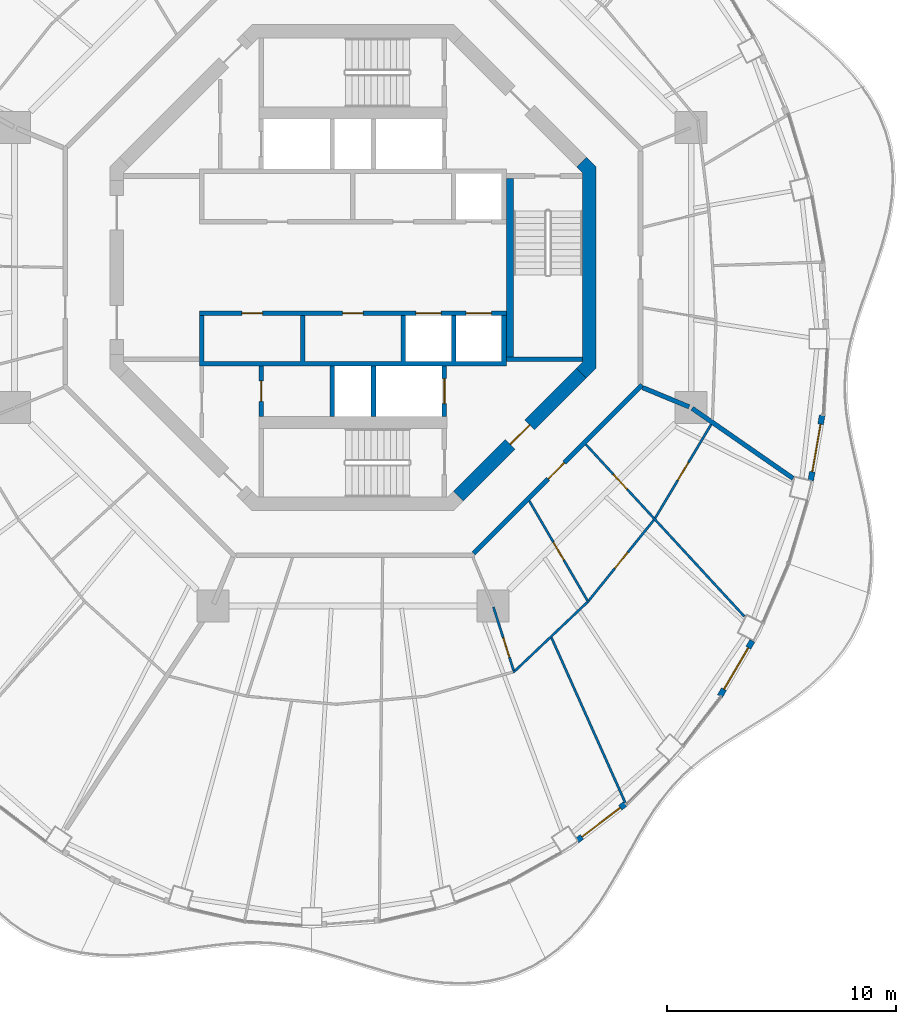
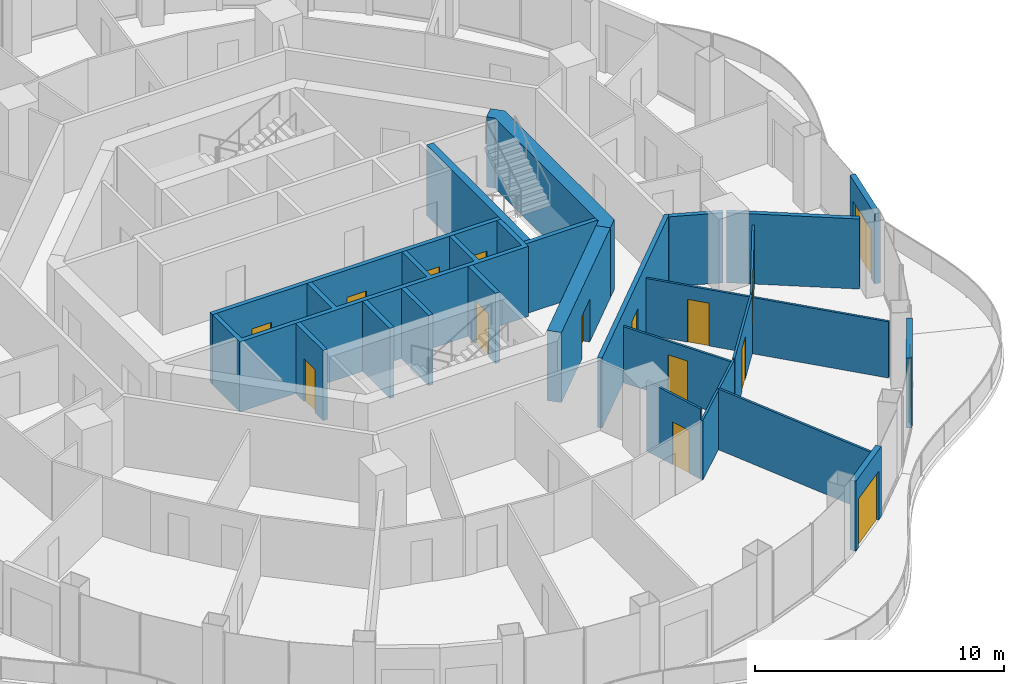
# One storey, part 11 of 17: 23 walls, 16 doors, 16 openings.
"""IFC4 building model written with IfcOpenShell, lengths in metres."""

from ifc_helpers import new_model, si_unit, direction, frame, frame_2d, origin, place, context, subcontext, project, spatial, polyline, rectangle, outline, extrude, material, layer, layer_set, type_object, element, fill, save


model = new_model("IFC4")

# Units and contexts
model_context = context("Model", 3, precision=1e-05, world=origin(), true_north=direction((0.0, 1.0)))
body_context = subcontext(model_context, "Body", "Model", "MODEL_VIEW")
ifc_project = project(units=[si_unit("LENGTHUNIT", "METRE"), si_unit("AREAUNIT", "SQUARE_METRE"), si_unit("VOLUMEUNIT", "CUBIC_METRE"), si_unit("PLANEANGLEUNIT", "RADIAN"), si_unit("MASSUNIT", "GRAM", prefix="KILO")], contexts=[model_context])

# Site, building, storey
site_placement = place(None, origin())
site = spatial("IfcSite", under=ifc_project, at=site_placement, CompositionType="ELEMENT")
building_placement = place(site_placement, origin())
building = spatial("IfcBuilding", under=site, at=building_placement, Name="Nagisa Residences", CompositionType="ELEMENT")
storey_placement = place(building_placement, frame((0.0, 0.0, 262.199951171875)))
storey = spatial("IfcBuildingStorey", under=building, at=storey_placement, Name="L66", CompositionType="ELEMENT", Elevation=262.199951171875)

# Walls
ifc_material_1 = material(Name="Gypsum board on steel studs", Category="steel")
ifc_layer_1 = layer(ifc_material_1, 0.199951171875)
ifc_layer_set_1 = layer_set([ifc_layer_1], Name="Apartment compartment wall EI60 200")
wall_type_1 = type_object("IfcWallType", Name="Apartment compartment wall EI60 200", PredefinedType="PARTITIONING", material=ifc_layer_set_1)
wall_1_placement = place(storey_placement, frame((12.6572265625, -5.24267578125, 0.0), z_axis=(0.0, 0.0, 1.0), x_axis=(0.92383017907, -0.382802560388, 0.0)))
element("IfcWall", 1, at=wall_1_placement, inside=storey, type_object=wall_type_1, Name="wall:L66:u06", PredefinedType="PARTITIONING", context=body_context, shape_type="SweptSolid", body=[
    extrude(rectangle(XDim=2.2001953125, YDim=0.199951171875, at=frame_2d((1.10009765625, 0.0))), origin(), (0.0, 0.0, 1.0), 3.43994140625),
])
wall_2_placement = place(storey_placement, frame((14.8232421875, -6.1513671875, 0.0), z_axis=(0.0, 0.0, 1.0), x_axis=(0.821435065081, -0.570302054928, 0.0)))
element("IfcWall", 2, at=wall_2_placement, inside=storey, type_object=wall_type_1, Name="wall:L66:u07", PredefinedType="PARTITIONING", context=body_context, shape_type="SweptSolid", body=[
    extrude(rectangle(XDim=5.3681640625, YDim=0.199951171875, at=frame_2d((2.68408203125, 0.0))), origin(), (0.0, 0.0, 1.0), 3.43994140625),
])

# Wall, opening, door
ifc_material_2 = material(Name="Gypsum board on steel studs", Category="steel")
ifc_layer_2 = layer(ifc_material_2, 0.199951171875)
ifc_layer_set_2 = layer_set([ifc_layer_2], Name="Apartment entry wall EI60 200")
wall_type_2 = type_object("IfcWallType", Name="Apartment entry wall EI60 200", PredefinedType="PARTITIONING", material=ifc_layer_set_2)
wall_3_placement = place(storey_placement, frame((5.275146484375, -12.494140625, 0.0), z_axis=(0.0, 0.0, 1.0), x_axis=(0.707106781187, 0.707106781187, 0.0)))
wall_3 = element("IfcWall", 3, at=wall_3_placement, inside=storey, type_object=wall_type_2, Name="wall:L66:u15", PredefinedType="PARTITIONING", context=body_context, shape_type="SweptSolid", body=[
    extrude(rectangle(XDim=10.4091796875, YDim=0.199951171875, at=frame_2d((5.20458984375, 0.0))), origin(), (0.0, 0.0, 1.0), 3.43994140625),
])
opening_1_placement = place(wall_3_placement, frame((4.6044921875, 0.0, 0.0)))
opening_1 = element("IfcOpeningElement", 4, at=opening_1_placement, cuts=wall_3, Name="Opening L66-U28", PredefinedType="OPENING", context=body_context, shape_type="SweptSolid", body=[
    extrude(rectangle(XDim=1.0, YDim=2.10009765625, at=frame_2d((0.5, 1.050048828125))), frame((0.0, 0.10986328125, 0.0), z_axis=(0.0, -1.0, 0.0), x_axis=(1.0, 0.0, 0.0)), (0.0, 0.0, 1.0), 0.219970703125),
])
ifc_material_3 = material(Name="Timber fire door set", Category="wood")
door_type_1 = type_object("IfcDoorType", Name="Apartment entry door FD30S 1000x2100", OperationType="NOTDEFINED", PredefinedType="DOOR", material=ifc_material_3)
door_1_placement = place(opening_1_placement, frame((1.0, 0.0, 0.0), x_axis=(-1.0, 0.0, 0.0)))
door_1 = element("IfcDoor", 5, at=door_1_placement, inside=storey, type_object=door_type_1, Name="Entry door, Apartment 66D", OperationType="SINGLE_SWING_LEFT", OverallHeight=2.10009765625, OverallWidth=1.0, PredefinedType="DOOR", context=body_context, shape_type="SweptSolid", body=[
    extrude(rectangle(XDim=1.0, YDim=2.10009765625, at=frame_2d((0.5, 1.050048828125))), frame((0.0, 0.02490234375, 0.0), z_axis=(0.0, -1.0, 0.0), x_axis=(1.0, 0.0, 0.0)), (0.0, 0.0, 1.0), 0.050048828125),
])
fill(opening_1, door_1)

ifc_material_4 = material(Name="Gypsum board on steel studs", Category="steel")
ifc_layer_3 = layer(ifc_material_4, 0.10009765625)
ifc_layer_set_3 = layer_set([ifc_layer_3], Name="Apartment partition 100")
wall_type_3 = type_object("IfcWallType", Name="Apartment partition 100", PredefinedType="PARTITIONING", material=ifc_layer_set_3)
wall_4_placement = place(storey_placement, frame((6.13818359375, -14.82958984375, 0.0), z_axis=(0.0, 0.0, 1.0), x_axis=(0.303665801704, -0.952778610631, 0.0)))
wall_4 = element("IfcWall", 6, at=wall_4_placement, inside=storey, type_object=wall_type_3, Name="wall:L66:u62", PredefinedType="PARTITIONING", context=body_context, shape_type="SweptSolid", body=[
    extrude(rectangle(XDim=2.921630859375, YDim=0.10009765625, at=frame_2d((1.4609375, 0.0))), origin(), (0.0, 0.0, 1.0), 3.43994140625),
])
opening_2_placement = place(wall_4_placement, frame((1.4072265625, 0.0, 0.0)))
opening_2 = element("IfcOpeningElement", 7, at=opening_2_placement, cuts=wall_4, Name="Opening L66-U33", PredefinedType="OPENING", context=body_context, shape_type="SweptSolid", body=[
    extrude(rectangle(XDim=0.89990234375, YDim=2.10009765625, at=frame_2d((0.449951171875, 1.050048828125))), frame((0.0, 0.06005859375, 0.0), z_axis=(0.0, -1.0, 0.0), x_axis=(1.0, 0.0, 0.0)), (0.0, 0.0, 1.0), 0.1201171875),
])
ifc_material_5 = material(Name="Timber door set", Category="wood")
door_type_2 = type_object("IfcDoorType", Name="Apartment door 900x2100", OperationType="NOTDEFINED", PredefinedType="DOOR", material=ifc_material_5)
door_2_placement = place(opening_2_placement, frame((0.89990234375, 0.0, 0.0), x_axis=(-1.0, 0.0, 0.0)))
door_2 = element("IfcDoor", 8, at=door_2_placement, inside=storey, type_object=door_type_2, Name="Door to laundry, Apartment 66D", OperationType="SINGLE_SWING_RIGHT", OverallHeight=2.10009765625, OverallWidth=0.89990234375, PredefinedType="DOOR", context=body_context, shape_type="SweptSolid", body=[
    extrude(rectangle(XDim=0.89990234375, YDim=2.10009765625, at=frame_2d((0.449951171875, 1.050048828125))), frame((0.0, 0.02490234375, 0.0), z_axis=(0.0, -1.0, 0.0), x_axis=(1.0, 0.0, 0.0)), (0.0, 0.0, 1.0), 0.050048828125),
])
fill(opening_2, door_2)

# Walls
wall_5_placement = place(storey_placement, frame((7.004150390625, -17.6953125, 0.0), z_axis=(0.0, 0.0, 1.0), x_axis=(0.725438442765, 0.68828705186, 0.0)))
element("IfcWall", 9, at=wall_5_placement, inside=storey, type_object=wall_type_3, Name="wall:L66:u63", PredefinedType="PARTITIONING", context=body_context, shape_type="SweptSolid", body=[
    extrude(rectangle(XDim=4.45556640625, YDim=0.10009765625, at=frame_2d((2.227783203125, 0.0))), origin(), (0.0, 0.0, 1.0), 2.905029296875),
])
wall_6_placement = place(storey_placement, frame((8.677001953125, -16.17333984375, 0.0), z_axis=(0.0, 0.0, 1.0), x_axis=(0.408174671437, -0.912903849043, 0.0)))
element("IfcWall", 10, at=wall_6_placement, inside=storey, type_object=wall_type_3, Name="wall:L66:u64", PredefinedType="PARTITIONING", context=body_context, shape_type="SweptSolid", body=[
    extrude(rectangle(XDim=8.028076171875, YDim=0.10009765625, at=frame_2d((4.01416015625, 0.0))), origin(), (0.0, 0.0, 1.0), 2.983154296875),
])

# Wall, opening, door
wall_7_placement = place(storey_placement, frame((7.708251953125, -10.19775390625, 0.0), z_axis=(0.0, 0.0, 1.0), x_axis=(0.503838537732, -0.863797851292, 0.0)))
wall_7 = element("IfcWall", 11, at=wall_7_placement, inside=storey, type_object=wall_type_3, Name="wall:L66:u65", PredefinedType="PARTITIONING", context=body_context, shape_type="SweptSolid", body=[
    extrude(rectangle(XDim=5.1396484375, YDim=0.10009765625, at=frame_2d((2.56982421875, 0.0))), origin(), (0.0, 0.0, 1.0), 2.761962890625),
])
opening_3_placement = place(wall_7_placement, frame((2.094970703125, 0.0, 0.0)))
opening_3 = element("IfcOpeningElement", 12, at=opening_3_placement, cuts=wall_7, Name="Opening L66-U29", PredefinedType="OPENING", context=body_context, shape_type="SweptSolid", body=[
    extrude(rectangle(XDim=0.89990234375, YDim=2.10009765625, at=frame_2d((0.449951171875, 1.050048828125))), frame((0.0, 0.06005859375, 0.0), z_axis=(0.0, -1.0, 0.0), x_axis=(1.0, 0.0, 0.0)), (0.0, 0.0, 1.0), 0.1201171875),
])
door_3_placement = place(opening_3_placement, frame((0.89990234375, 0.0, 0.0), x_axis=(-1.0, 0.0, 0.0)))
door_3 = element("IfcDoor", 13, at=door_3_placement, inside=storey, type_object=door_type_2, Name="Door to family bathroom, Apartment 66D", OperationType="SINGLE_SWING_RIGHT", OverallHeight=2.10009765625, OverallWidth=0.89990234375, PredefinedType="DOOR", context=body_context, shape_type="SweptSolid", body=[
    extrude(rectangle(XDim=0.89990234375, YDim=2.10009765625, at=frame_2d((0.449951171875, 1.050048828125))), frame((0.0, 0.02490234375, 0.0), z_axis=(0.0, -1.0, 0.0), x_axis=(1.0, 0.0, 0.0)), (0.0, 0.0, 1.0), 0.050048828125),
])
fill(opening_3, door_3)

wall_8_placement = place(storey_placement, frame((10.303955078125, -14.555419921875, 0.0), z_axis=(0.0, 0.0, 1.0), x_axis=(0.628170338674, 0.778075848237, 0.0)))
wall_8 = element("IfcWall", 14, at=wall_8_placement, inside=storey, type_object=wall_type_3, Name="wall:L66:u66", PredefinedType="PARTITIONING", context=body_context, shape_type="SweptSolid", body=[
    extrude(rectangle(XDim=4.532470703125, YDim=0.10009765625, at=frame_2d((2.26611328125, 0.0))), origin(), (0.0, 0.0, 1.0), 2.905029296875),
])
opening_4_placement = place(wall_8_placement, frame((1.816162109375, 0.0, 0.0)))
opening_4 = element("IfcOpeningElement", 15, at=opening_4_placement, cuts=wall_8, Name="Opening L66-U31", PredefinedType="OPENING", context=body_context, shape_type="SweptSolid", body=[
    extrude(rectangle(XDim=0.89990234375, YDim=2.10009765625, at=frame_2d((0.449951171875, 1.050048828125))), frame((0.0, 0.06005859375, 0.0), z_axis=(0.0, -1.0, 0.0), x_axis=(1.0, 0.0, 0.0)), (0.0, 0.0, 1.0), 0.1201171875),
])
door_4_placement = place(opening_4_placement, frame((0.89990234375, 0.0, 0.0), x_axis=(-1.0, 0.0, 0.0)))
door_4 = element("IfcDoor", 16, at=door_4_placement, inside=storey, type_object=door_type_2, Name="Door to master bedroom, Apartment 66D", OperationType="SINGLE_SWING_RIGHT", OverallHeight=2.10009765625, OverallWidth=0.89990234375, PredefinedType="DOOR", context=body_context, shape_type="SweptSolid", body=[
    extrude(rectangle(XDim=0.89990234375, YDim=2.10009765625, at=frame_2d((0.449951171875, 1.050048828125))), frame((0.0, 0.02490234375, 0.0), z_axis=(0.0, -1.0, 0.0), x_axis=(1.0, 0.0, 0.0)), (0.0, 0.0, 1.0), 0.050048828125),
])
fill(opening_4, door_4)

wall_9_placement = place(storey_placement, frame((10.17919921875, -7.7314453125, 0.0), z_axis=(0.0, 0.0, 1.0), x_axis=(0.67775318564, -0.73528947997, 0.0)))
wall_9 = element("IfcWall", 17, at=wall_9_placement, inside=storey, type_object=wall_type_3, Name="wall:L66:u67", PredefinedType="PARTITIONING", context=body_context, shape_type="SweptSolid", body=[
    extrude(rectangle(XDim=10.221923828125, YDim=0.10009765625, at=frame_2d((5.11083984375, 0.0))), origin(), (0.0, 0.0, 1.0), 2.761962890625),
])
opening_5_placement = place(wall_9_placement, frame((1.765625, 0.0, 0.0)))
opening_5 = element("IfcOpeningElement", 18, at=opening_5_placement, cuts=wall_9, Name="Opening L66-U30", PredefinedType="OPENING", context=body_context, shape_type="SweptSolid", body=[
    extrude(rectangle(XDim=0.89990234375, YDim=2.10009765625, at=frame_2d((0.449951171875, 1.050048828125))), frame((0.0, 0.06005859375, 0.0), z_axis=(0.0, -1.0, 0.0), x_axis=(1.0, 0.0, 0.0)), (0.0, 0.0, 1.0), 0.1201171875),
])
door_5_placement = place(opening_5_placement, origin())
door_5 = element("IfcDoor", 19, at=door_5_placement, inside=storey, type_object=door_type_2, Name="Door to laundry, Apartment 66D", OperationType="SINGLE_SWING_RIGHT", OverallHeight=2.10009765625, OverallWidth=0.89990234375, PredefinedType="DOOR", context=body_context, shape_type="SweptSolid", body=[
    extrude(rectangle(XDim=0.89990234375, YDim=2.10009765625, at=frame_2d((0.449951171875, 1.050048828125))), frame((0.0, 0.02490234375, 0.0), z_axis=(0.0, -1.0, 0.0), x_axis=(1.0, 0.0, 0.0)), (0.0, 0.0, 1.0), 0.050048828125),
])
fill(opening_5, door_5)

wall_10_placement = place(storey_placement, frame((13.208251953125, -10.947021484375, 0.0), z_axis=(0.0, 0.0, 1.0), x_axis=(0.512726452516, 0.858552028063, 0.0)))
wall_10 = element("IfcWall", 20, at=wall_10_placement, inside=storey, type_object=wall_type_3, Name="wall:L66:u68", PredefinedType="PARTITIONING", context=body_context, shape_type="SweptSolid", body=[
    extrude(rectangle(XDim=4.771728515625, YDim=0.10009765625, at=frame_2d((2.3857421875, 0.0))), origin(), (0.0, 0.0, 1.0), 2.905029296875),
])
opening_6_placement = place(wall_10_placement, frame((1.935791015625, 0.0, 0.0)))
opening_6 = element("IfcOpeningElement", 21, at=opening_6_placement, cuts=wall_10, Name="Opening L66-U32", PredefinedType="OPENING", context=body_context, shape_type="SweptSolid", body=[
    extrude(rectangle(XDim=0.89990234375, YDim=2.10009765625, at=frame_2d((0.449951171875, 1.050048828125))), frame((0.0, 0.06005859375, 0.0), z_axis=(0.0, -1.0, 0.0), x_axis=(1.0, 0.0, 0.0)), (0.0, 0.0, 1.0), 0.1201171875),
])
door_6_placement = place(opening_6_placement, frame((0.89990234375, 0.0, 0.0), x_axis=(-1.0, 0.0, 0.0)))
door_6 = element("IfcDoor", 22, at=door_6_placement, inside=storey, type_object=door_type_2, Name="Door to kitchen, Apartment 66D", OperationType="SINGLE_SWING_LEFT", OverallHeight=2.10009765625, OverallWidth=0.89990234375, PredefinedType="DOOR", context=body_context, shape_type="SweptSolid", body=[
    extrude(rectangle(XDim=0.89990234375, YDim=2.10009765625, at=frame_2d((0.449951171875, 1.050048828125))), frame((0.0, 0.02490234375, 0.0), z_axis=(0.0, -1.0, 0.0), x_axis=(1.0, 0.0, 0.0)), (0.0, 0.0, 1.0), 0.050048828125),
])
fill(opening_6, door_6)

ifc_material_6 = material(Name="Precast concrete C40/50", Category="concrete")
ifc_layer_4 = layer(ifc_material_6, 0.25)
ifc_layer_set_4 = layer_set([ifc_layer_4], Name="BALCONY DOOR WALL 250")
wall_type_4 = type_object("IfcWallType", Name="BALCONY DOOR WALL 250", PredefinedType="SOLIDWALL", material=ifc_layer_set_4)
wall_11_placement = place(storey_placement, frame((11.89453125, -23.439208984375, 0.0), z_axis=(0.0, 0.0, 1.0), x_axis=(-0.796055284084, -0.605223912847, 0.0)))
wall_11 = element("IfcWall", 23, at=wall_11_placement, inside=storey, type_object=wall_type_4, Name="wall:L66:bay40", PredefinedType="SOLIDWALL", context=body_context, shape_type="SweptSolid", body=[
    extrude(rectangle(XDim=2.640625, YDim=0.25, at=frame_2d((1.3203125, 0.0))), origin(), (0.0, 0.0, 1.0), 3.43994140625),
])
opening_7_placement = place(wall_11_placement, frame((0.270263671875, 0.0, 0.0)))
opening_7 = element("IfcOpeningElement", 24, at=opening_7_placement, cuts=wall_11, Name="Opening BD-L66-14", PredefinedType="OPENING", context=body_context, shape_type="SweptSolid", body=[
    extrude(rectangle(XDim=2.10009765625, YDim=2.39990234375, at=frame_2d((1.050048828125, 1.199951171875))), frame((0.0, 0.135009765625, 0.0), z_axis=(0.0, -1.0, 0.0), x_axis=(1.0, 0.0, 0.0)), (0.0, 0.0, 1.0), 0.27001953125),
])
ifc_material_7 = material(Name="Aluminium and clear glass", Category="aluminium")
door_type_3 = type_object("IfcDoorType", Name="BALCONY SLIDING DOOR 2100x2400", OperationType="SLIDING_TO_LEFT", PredefinedType="DOOR", material=ifc_material_7)
door_7_placement = place(opening_7_placement, origin())
door_7 = element("IfcDoor", 25, at=door_7_placement, inside=storey, type_object=door_type_3, Name="door:L66:bay40", OperationType="SLIDING_TO_LEFT", OverallHeight=2.39990234375, OverallWidth=2.10009765625, PredefinedType="DOOR", context=body_context, shape_type="SweptSolid", body=[
    extrude(rectangle(XDim=2.10009765625, YDim=2.39990234375, at=frame_2d((1.050048828125, 1.199951171875))), frame((0.0, 0.02490234375, 0.0), z_axis=(0.0, -1.0, 0.0), x_axis=(1.0, 0.0, 0.0)), (0.0, 0.0, 1.0), 0.050048828125),
])
fill(opening_7, door_7)

wall_12_placement = place(storey_placement, frame((17.453857421875, -16.3125, 0.0), z_axis=(0.0, 0.0, 1.0), x_axis=(-0.506371364425, -0.862315511452, 0.0)))
wall_12 = element("IfcWall", 26, at=wall_12_placement, inside=storey, type_object=wall_type_4, Name="wall:L66:bay43", PredefinedType="SOLIDWALL", context=body_context, shape_type="SweptSolid", body=[
    extrude(rectangle(XDim=2.79638671875, YDim=0.25, at=frame_2d((1.398193359375, 0.0))), origin(), (0.0, 0.0, 1.0), 3.43994140625),
])
opening_8_placement = place(wall_12_placement, frame((0.34814453125, 0.0, 0.0)))
opening_8 = element("IfcOpeningElement", 27, at=opening_8_placement, cuts=wall_12, Name="Opening BD-L66-15", PredefinedType="OPENING", context=body_context, shape_type="SweptSolid", body=[
    extrude(rectangle(XDim=2.10009765625, YDim=2.39990234375, at=frame_2d((1.050048828125, 1.199951171875))), frame((0.0, 0.135009765625, 0.0), z_axis=(0.0, -1.0, 0.0), x_axis=(1.0, 0.0, 0.0)), (0.0, 0.0, 1.0), 0.27001953125),
])
door_8_placement = place(opening_8_placement, origin())
door_8 = element("IfcDoor", 28, at=door_8_placement, inside=storey, type_object=door_type_3, Name="door:L66:bay43", OperationType="SLIDING_TO_LEFT", OverallHeight=2.39990234375, OverallWidth=2.10009765625, PredefinedType="DOOR", context=body_context, shape_type="SweptSolid", body=[
    extrude(rectangle(XDim=2.10009765625, YDim=2.39990234375, at=frame_2d((1.050048828125, 1.199951171875))), frame((0.0, 0.02490234375, 0.0), z_axis=(0.0, -1.0, 0.0), x_axis=(1.0, 0.0, 0.0)), (0.0, 0.0, 1.0), 0.050048828125),
])
fill(opening_8, door_8)

wall_13_placement = place(storey_placement, frame((20.50341796875, -6.455810546875, 0.0), z_axis=(0.0, 0.0, 1.0), x_axis=(-0.172182411767, -0.985065082661, 0.0)))
wall_13 = element("IfcWall", 29, at=wall_13_placement, inside=storey, type_object=wall_type_4, Name="wall:L66:bay46", PredefinedType="SOLIDWALL", context=body_context, shape_type="SweptSolid", body=[
    extrude(rectangle(XDim=2.902587890625, YDim=0.25, at=frame_2d((1.451171875, 0.0))), origin(), (0.0, 0.0, 1.0), 3.43994140625),
])
opening_9_placement = place(wall_13_placement, frame((0.401123046875, 0.0, 0.0)))
opening_9 = element("IfcOpeningElement", 30, at=opening_9_placement, cuts=wall_13, Name="Opening BD-L66-16", PredefinedType="OPENING", context=body_context, shape_type="SweptSolid", body=[
    extrude(rectangle(XDim=2.10009765625, YDim=2.39990234375, at=frame_2d((1.050048828125, 1.199951171875))), frame((0.0, 0.135009765625, 0.0), z_axis=(0.0, -1.0, 0.0), x_axis=(1.0, 0.0, 0.0)), (0.0, 0.0, 1.0), 0.27001953125),
])
door_9_placement = place(opening_9_placement, origin())
door_9 = element("IfcDoor", 31, at=door_9_placement, inside=storey, type_object=door_type_3, Name="door:L66:bay46", OperationType="SLIDING_TO_LEFT", OverallHeight=2.39990234375, OverallWidth=2.10009765625, PredefinedType="DOOR", context=body_context, shape_type="SweptSolid", body=[
    extrude(rectangle(XDim=2.10009765625, YDim=2.39990234375, at=frame_2d((1.050048828125, 1.199951171875))), frame((0.0, 0.02490234375, 0.0), z_axis=(0.0, -1.0, 0.0), x_axis=(1.0, 0.0, 0.0)), (0.0, 0.0, 1.0), 0.050048828125),
])
fill(opening_9, door_9)

ifc_material_8 = material(Name="Concrete C60", Category="concrete")
ifc_layer_5 = layer(ifc_material_8, 0.60009765625)
ifc_layer_set_5 = layer_set([ifc_layer_5], Name="Core shear wall 600")
wall_type_5 = type_object("IfcWallType", Name="Core shear wall 600", PredefinedType="SHEAR", material=ifc_layer_set_5)
wall_14_placement = place(storey_placement, frame((4.613037109375, -9.98828125, 0.0), z_axis=(0.0, 0.0, 1.0), x_axis=(0.707106781187, 0.707106781187, 0.0)))
wall_14 = element("IfcWall", 32, at=wall_14_placement, inside=storey, type_object=wall_type_5, Name="wall:L66:core:flat7", PredefinedType="SHEAR", context=body_context, shape_type="SweptSolid", body=[
    extrude(rectangle(XDim=7.601806640625, YDim=0.60009765625, at=frame_2d((3.80078125, 0.0))), origin(), (0.0, 0.0, 1.0), 3.43994140625),
])
opening_10_placement = place(wall_14_placement, frame((3.200927734375, 0.0, 0.0)))
opening_10 = element("IfcOpeningElement", 33, at=opening_10_placement, cuts=wall_14, Name="Opening L66-C18", PredefinedType="OPENING", context=body_context, shape_type="SweptSolid", body=[
    extrude(rectangle(XDim=1.199951171875, YDim=2.10009765625, at=frame_2d((0.60009765625, 1.050048828125))), frame((0.0, 0.31005859375, 0.0), z_axis=(0.0, -1.0, 0.0), x_axis=(1.0, 0.0, 0.0)), (0.0, 0.0, 1.0), 0.6201171875),
])
ifc_material_9 = material(Name="Steel fire door", Category="steel")
door_type_4 = type_object("IfcDoorType", Name="Fire door EI60 1200x2100 single swing", OperationType="NOTDEFINED", PredefinedType="DOOR", material=ifc_material_9)
door_10_placement = place(opening_10_placement, origin())
door_10 = element("IfcDoor", 34, at=door_10_placement, inside=storey, type_object=door_type_4, Name="Firefighting lobby 2 door L66", OperationType="SINGLE_SWING_RIGHT", OverallHeight=2.10009765625, OverallWidth=1.199951171875, PredefinedType="DOOR", context=body_context, shape_type="SweptSolid", body=[
    extrude(rectangle(XDim=1.199951171875, YDim=2.10009765625, at=frame_2d((0.60009765625, 1.050048828125))), frame((0.0, 0.02490234375, 0.0), z_axis=(0.0, -1.0, 0.0), x_axis=(1.0, 0.0, 0.0)), (0.0, 0.0, 1.0), 0.050048828125),
])
fill(opening_10, door_10)

# Wall
wall_15_placement = place(storey_placement, origin())
element("IfcWall", 35, at=wall_15_placement, inside=storey, type_object=wall_type_5, Name="wall:L66:core:flat0", PredefinedType="SHEAR", context=body_context, shape_type="SweptSolid", body=[
    extrude(outline(polyline([(9.776123046875, -4.40087890625), (10.024658203125, -4.15234375), (10.024658203125, -3.801025390625), (10.024658203125, 4.15234375), (9.776123046875, 4.40087890625), (10.200439453125, 4.8251953125), (10.62451171875, 4.40087890625), (10.62451171875, -4.40087890625), (10.200439453125, -4.8251953125), (9.776123046875, -4.40087890625)])), origin(), (0.0, 0.0, 1.0), 3.43994140625),
])

# Wall, opening, door
ifc_material_10 = material(Name="Concrete C60", Category="concrete")
ifc_layer_6 = layer(ifc_material_10, 0.199951171875)
ifc_layer_set_6 = layer_set([ifc_layer_6], Name="Lift shaft wall 200")
wall_type_6 = type_object("IfcWallType", Name="Lift shaft wall 200", PredefinedType="SOLIDWALL", material=ifc_layer_set_6)
wall_16_placement = place(storey_placement, frame((4.0, -6.5, 0.0), z_axis=(0.0, 0.0, 1.0), x_axis=(0.0, 1.0, 0.0)))
wall_16 = element("IfcWall", 36, at=wall_16_placement, inside=storey, type_object=wall_type_6, Name="wall:L66:Sb3", PredefinedType="SOLIDWALL", context=body_context, shape_type="SweptSolid", body=[
    extrude(rectangle(XDim=2.199951171875, YDim=0.199951171875, at=frame_2d((1.10009765625, 0.0))), origin(), (0.0, 0.0, 1.0), 3.43994140625),
])
opening_11_placement = place(wall_16_placement, frame((0.550048828125, 0.0, 0.0)))
opening_11 = element("IfcOpeningElement", 37, at=opening_11_placement, cuts=wall_16, Name="Opening L66-C05", PredefinedType="OPENING", context=body_context, shape_type="SweptSolid", body=[
    extrude(rectangle(XDim=1.10009765625, YDim=2.10009765625, at=frame_2d((0.550048828125, 1.050048828125))), frame((0.0, 0.10986328125, 0.0), z_axis=(0.0, -1.0, 0.0), x_axis=(1.0, 0.0, 0.0)), (0.0, 0.0, 1.0), 0.219970703125),
])
ifc_material_11 = material(Name="Stainless steel", Category="steel")
door_type_5 = type_object("IfcDoorType", Name="Lift landing door 1100x2100", OperationType="DOUBLE_DOOR_SLIDING", PredefinedType="DOOR", material=ifc_material_11)
door_11_placement = place(opening_11_placement, origin())
door_11 = element("IfcDoor", 38, at=door_11_placement, inside=storey, type_object=door_type_5, Name="Landing door FL2 L66", OperationType="DOUBLE_DOOR_SLIDING", OverallHeight=2.10009765625, OverallWidth=1.10009765625, PredefinedType="DOOR", context=body_context, shape_type="SweptSolid", body=[
    extrude(rectangle(XDim=1.10009765625, YDim=2.10009765625, at=frame_2d((0.550048828125, 1.050048828125))), frame((0.0, 0.02490234375, 0.0), z_axis=(0.0, -1.0, 0.0), x_axis=(1.0, 0.0, 0.0)), (0.0, 0.0, 1.0), 0.050048828125),
])
fill(opening_11, door_11)

wall_17_placement = place(storey_placement, frame((-4.0, -6.5, 0.0), z_axis=(0.0, 0.0, 1.0), x_axis=(0.0, 1.0, 0.0)))
wall_17 = element("IfcWall", 39, at=wall_17_placement, inside=storey, type_object=wall_type_6, Name="wall:L66:Sb4", PredefinedType="SOLIDWALL", context=body_context, shape_type="SweptSolid", body=[
    extrude(rectangle(XDim=2.199951171875, YDim=0.199951171875, at=frame_2d((1.10009765625, 0.0))), origin(), (0.0, 0.0, 1.0), 3.43994140625),
])
opening_12_placement = place(wall_17_placement, frame((0.64990234375, 0.0, 0.0)))
opening_12 = element("IfcOpeningElement", 40, at=opening_12_placement, cuts=wall_17, Name="Opening L66-C12", PredefinedType="OPENING", context=body_context, shape_type="SweptSolid", body=[
    extrude(rectangle(XDim=0.89990234375, YDim=2.10009765625, at=frame_2d((0.449951171875, 1.050048828125))), frame((0.0, 0.10986328125, 0.0), z_axis=(0.0, -1.0, 0.0), x_axis=(1.0, 0.0, 0.0)), (0.0, 0.0, 1.0), 0.219970703125),
])
ifc_material_12 = material(Name="Steel fire door", Category="steel")
door_type_6 = type_object("IfcDoorType", Name="Fire door EI30 900x2100 single swing", OperationType="NOTDEFINED", PredefinedType="DOOR", material=ifc_material_12)
door_12_placement = place(opening_12_placement, frame((0.89990234375, 0.0, 0.0), x_axis=(-1.0, 0.0, 0.0)))
door_12 = element("IfcDoor", 41, at=door_12_placement, inside=storey, type_object=door_type_6, Name="Refuse room door L66", OperationType="SINGLE_SWING_RIGHT", OverallHeight=2.10009765625, OverallWidth=0.89990234375, PredefinedType="DOOR", context=body_context, shape_type="SweptSolid", body=[
    extrude(rectangle(XDim=0.89990234375, YDim=2.10009765625, at=frame_2d((0.449951171875, 1.050048828125))), frame((0.0, 0.02490234375, 0.0), z_axis=(0.0, -1.0, 0.0), x_axis=(1.0, 0.0, 0.0)), (0.0, 0.0, 1.0), 0.050048828125),
])
fill(opening_12, door_12)

# Wall, openings, doors
wall_18_placement = place(storey_placement, frame((-6.699951171875, -2.0, 0.0), z_axis=(0.0, 0.0, 1.0), x_axis=(1.0, 0.0, 0.0)))
wall_18 = element("IfcWall", 42, at=wall_18_placement, inside=storey, type_object=wall_type_6, Name="wall:L66:Sfront", PredefinedType="SOLIDWALL", context=body_context, shape_type="SweptSolid", body=[
    extrude(rectangle(XDim=13.39990234375, YDim=0.199951171875, at=frame_2d((6.699951171875, 0.0))), origin(), (0.0, 0.0, 1.0), 3.43994140625),
])
opening_13_placement = place(wall_18_placement, frame((9.449951171875, 0.0, 0.0)))
opening_13 = element("IfcOpeningElement", 43, at=opening_13_placement, cuts=wall_18, Name="Opening L66-C02", PredefinedType="OPENING", context=body_context, shape_type="SweptSolid", body=[
    extrude(rectangle(XDim=1.10009765625, YDim=2.10009765625, at=frame_2d((0.550048828125, 1.050048828125))), frame((0.0, 0.10986328125, 0.0), z_axis=(0.0, -1.0, 0.0), x_axis=(1.0, 0.0, 0.0)), (0.0, 0.0, 1.0), 0.219970703125),
])
opening_14_placement = place(wall_18_placement, frame((11.64990234375, 0.0, 0.0)))
opening_14 = element("IfcOpeningElement", 44, at=opening_14_placement, cuts=wall_18, Name="Opening L66-C03", PredefinedType="OPENING", context=body_context, shape_type="SweptSolid", body=[
    extrude(rectangle(XDim=1.10009765625, YDim=2.10009765625, at=frame_2d((0.550048828125, 1.050048828125))), frame((0.0, 0.10986328125, 0.0), z_axis=(0.0, -1.0, 0.0), x_axis=(1.0, 0.0, 0.0)), (0.0, 0.0, 1.0), 0.219970703125),
])
opening_15_placement = place(wall_18_placement, frame((1.85009765625, 0.0, 0.0)))
opening_15 = element("IfcOpeningElement", 45, at=opening_15_placement, cuts=wall_18, Name="Opening L66-C15", PredefinedType="OPENING", context=body_context, shape_type="SweptSolid", body=[
    extrude(rectangle(XDim=0.89990234375, YDim=2.10009765625, at=frame_2d((0.449951171875, 1.050048828125))), frame((0.0, 0.10986328125, 0.0), z_axis=(0.0, -1.0, 0.0), x_axis=(1.0, 0.0, 0.0)), (0.0, 0.0, 1.0), 0.219970703125),
])
opening_16_placement = place(wall_18_placement, frame((6.25, 0.0, 0.0)))
opening_16 = element("IfcOpeningElement", 46, at=opening_16_placement, cuts=wall_18, Name="Opening L66-C16", PredefinedType="OPENING", context=body_context, shape_type="SweptSolid", body=[
    extrude(rectangle(XDim=0.89990234375, YDim=2.10009765625, at=frame_2d((0.449951171875, 1.050048828125))), frame((0.0, 0.10986328125, 0.0), z_axis=(0.0, -1.0, 0.0), x_axis=(1.0, 0.0, 0.0)), (0.0, 0.0, 1.0), 0.219970703125),
])
door_13_placement = place(opening_15_placement, frame((0.89990234375, 0.0, 0.0), x_axis=(-1.0, 0.0, 0.0)))
door_13 = element("IfcDoor", 47, at=door_13_placement, inside=storey, type_object=door_type_6, Name="Recycling room door L66", OperationType="SINGLE_SWING_LEFT", OverallHeight=2.10009765625, OverallWidth=0.89990234375, PredefinedType="DOOR", context=body_context, shape_type="SweptSolid", body=[
    extrude(rectangle(XDim=0.89990234375, YDim=2.10009765625, at=frame_2d((0.449951171875, 1.050048828125))), frame((0.0, 0.02490234375, 0.0), z_axis=(0.0, -1.0, 0.0), x_axis=(1.0, 0.0, 0.0)), (0.0, 0.0, 1.0), 0.050048828125),
])
fill(opening_15, door_13)
door_14_placement = place(opening_16_placement, frame((0.89990234375, 0.0, 0.0), x_axis=(-1.0, 0.0, 0.0)))
door_14 = element("IfcDoor", 48, at=door_14_placement, inside=storey, type_object=door_type_6, Name="Stationery store door L66", OperationType="SINGLE_SWING_LEFT", OverallHeight=2.10009765625, OverallWidth=0.89990234375, PredefinedType="DOOR", context=body_context, shape_type="SweptSolid", body=[
    extrude(rectangle(XDim=0.89990234375, YDim=2.10009765625, at=frame_2d((0.449951171875, 1.050048828125))), frame((0.0, 0.02490234375, 0.0), z_axis=(0.0, -1.0, 0.0), x_axis=(1.0, 0.0, 0.0)), (0.0, 0.0, 1.0), 0.050048828125),
])
fill(opening_16, door_14)
door_15_placement = place(opening_13_placement, origin())
door_15 = element("IfcDoor", 49, at=door_15_placement, inside=storey, type_object=door_type_5, Name="Landing door C2 L66", OperationType="DOUBLE_DOOR_SLIDING", OverallHeight=2.10009765625, OverallWidth=1.10009765625, PredefinedType="DOOR", context=body_context, shape_type="SweptSolid", body=[
    extrude(rectangle(XDim=1.10009765625, YDim=2.10009765625, at=frame_2d((0.550048828125, 1.050048828125))), frame((0.0, 0.02490234375, 0.0), z_axis=(0.0, -1.0, 0.0), x_axis=(1.0, 0.0, 0.0)), (0.0, 0.0, 1.0), 0.050048828125),
])
fill(opening_13, door_15)
door_16_placement = place(opening_14_placement, origin())
door_16 = element("IfcDoor", 50, at=door_16_placement, inside=storey, type_object=door_type_5, Name="Landing door C3 L66", OperationType="DOUBLE_DOOR_SLIDING", OverallHeight=2.10009765625, OverallWidth=1.10009765625, PredefinedType="DOOR", context=body_context, shape_type="SweptSolid", body=[
    extrude(rectangle(XDim=1.10009765625, YDim=2.10009765625, at=frame_2d((0.550048828125, 1.050048828125))), frame((0.0, 0.02490234375, 0.0), z_axis=(0.0, -1.0, 0.0), x_axis=(1.0, 0.0, 0.0)), (0.0, 0.0, 1.0), 0.050048828125),
])
fill(opening_14, door_16)

# Walls
for number, where, z_axis, x_axis, name in (
    (51, (-0.89990234375, -6.5, 0.0), (0.0, 0.0, 1.0), (0.0, 1.0, 0.0), "wall:L66:Sb1"),
    (52, (0.89990234375, -6.5, 0.0), (0.0, 0.0, 1.0), (0.0, 1.0, 0.0), "wall:L66:Sb2"),
):
    element("IfcWall", number, at=place(storey_placement, frame(where, z_axis=z_axis, x_axis=x_axis)), inside=storey, type_object=wall_type_6, Name=name, PredefinedType="SOLIDWALL", context=body_context, shape_type="SweptSolid", body=[
        extrude(rectangle(XDim=2.199951171875, YDim=0.199951171875, at=frame_2d((1.10009765625, 0.0))), origin(), (0.0, 0.0, 1.0), 3.43994140625),
    ])
wall_19_placement = place(storey_placement, origin())
element("IfcWall", 53, at=wall_19_placement, inside=storey, type_object=wall_type_6, Name="wall:L66:Sback", PredefinedType="SOLIDWALL", context=body_context, shape_type="SweptSolid", body=[
    extrude(outline(polyline([(-6.699951171875, -2.10009765625), (-6.5, -2.10009765625), (-6.5, -4.10009765625), (-2.300048828125, -4.10009765625), (-2.300048828125, -2.10009765625), (-2.10009765625, -2.10009765625), (-2.10009765625, -4.10009765625), (2.10009765625, -4.10009765625), (2.10009765625, -2.10009765625), (2.300048828125, -2.10009765625), (2.300048828125, -4.10009765625), (4.300048828125, -4.10009765625), (4.300048828125, -2.10009765625), (4.5, -2.10009765625), (4.5, -4.10009765625), (6.5, -4.10009765625), (6.5, -2.10009765625), (6.699951171875, -2.10009765625), (6.699951171875, -4.300048828125), (-6.699951171875, -4.300048828125), (-6.699951171875, -2.10009765625)])), origin(), (0.0, 0.0, 1.0), 3.43994140625),
])
ifc_material_13 = material(Name="Concrete C60", Category="concrete")
ifc_layer_7 = layer(ifc_material_13, 0.199951171875)
ifc_layer_set_7 = layer_set([ifc_layer_7], Name="Stair enclosure wall 200")
wall_type_7 = type_object("IfcWallType", Name="Stair enclosure wall 200", PredefinedType="SOLIDWALL", material=ifc_layer_set_7)
wall_20_placement = place(storey_placement, origin())
element("IfcWall", 54, at=wall_20_placement, inside=storey, type_object=wall_type_7, Name="wall:L66:SE_w", PredefinedType="SOLIDWALL", context=body_context, shape_type="SweptSolid", body=[
    extrude(outline(polyline([(7.024658203125, -3.89990234375), (6.699951171875, -3.89990234375), (6.699951171875, 3.89990234375), (7.024658203125, 3.89990234375), (7.024658203125, -3.89990234375)])), origin(), (0.0, 0.0, 1.0), 3.43994140625),
])
wall_21_placement = place(storey_placement, origin())
element("IfcWall", 55, at=wall_21_placement, inside=storey, type_object=wall_type_7, Name="wall:L66:SE_s", PredefinedType="SOLIDWALL", context=body_context, shape_type="SweptSolid", body=[
    extrude(outline(polyline([(10.024658203125, -4.10009765625), (6.699951171875, -4.10009765625), (6.699951171875, -3.89990234375), (10.024658203125, -3.89990234375), (10.024658203125, -4.10009765625)])), origin(), (0.0, 0.0, 1.0), 3.43994140625),
])

save(model, "model.ifc")
